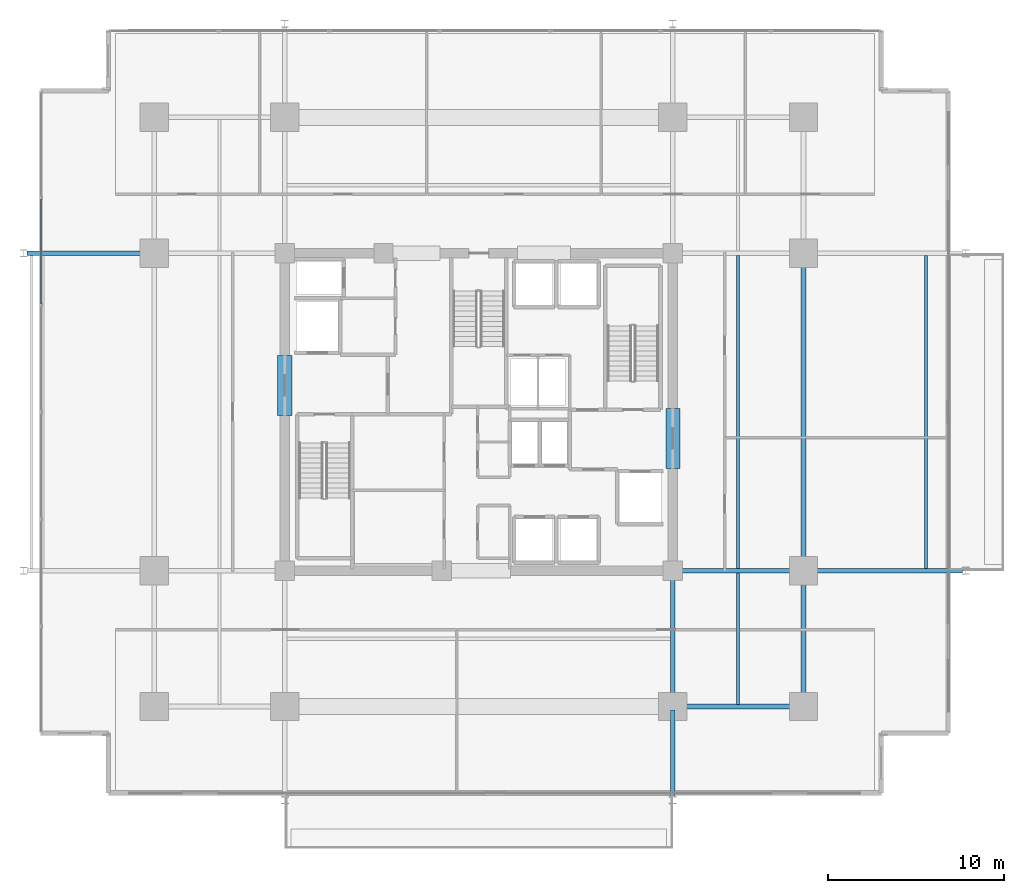
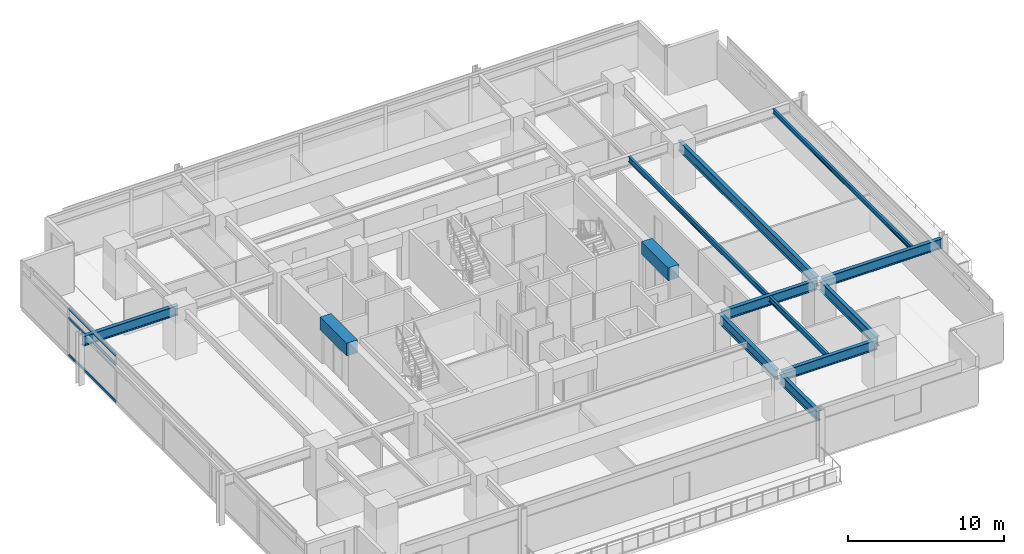
# One storey, part 5 of 22: 13 beams, 3 members, 1 element without a shape of its own.
"""IFC4 building model written with IfcOpenShell, lengths in metres."""

from ifc_helpers import new_model, si_unit, direction, frame, origin, origin_2d, place, context, subcontext, project, spatial, rectangle, hollow_rectangle, i_section, extrude, material, material_profile, profile_set, type_object, element, aggregate, save


model = new_model("IFC4")

# Units and contexts
model_context = context("Model", 3, precision=1e-05, world=origin(), true_north=direction((0.0, 1.0)))
body_context = subcontext(model_context, "Body", "Model", "MODEL_VIEW")
ifc_project = project(units=[si_unit("LENGTHUNIT", "METRE"), si_unit("AREAUNIT", "SQUARE_METRE"), si_unit("VOLUMEUNIT", "CUBIC_METRE"), si_unit("PLANEANGLEUNIT", "RADIAN"), si_unit("MASSUNIT", "GRAM", prefix="KILO")], contexts=[model_context])

# Site, building, storey
site_placement = place(None, origin())
site = spatial("IfcSite", under=ifc_project, at=site_placement, CompositionType="ELEMENT")
building_placement = place(site_placement, origin())
building = spatial("IfcBuilding", under=site, at=building_placement, Name="Kovane Verandah Tower", CompositionType="ELEMENT")
storey_placement = place(building_placement, frame((0.0, 0.0, 180.39990234375)))
storey = spatial("IfcBuildingStorey", under=building, at=storey_placement, Name="L42", CompositionType="ELEMENT", Elevation=180.39990234375)

# Beams
ifc_material_1 = material(Name="Concrete C60/75", Category="concrete")
ifc_material_profile_1 = material_profile(ifc_material_1, rectangle(XDim=0.800048828125, YDim=1.0, at=origin_2d()), Name="RCB800x1000")
ifc_profile_set_1 = profile_set([ifc_material_profile_1], Name="Concrete C60/75")
beam_type_1 = type_object("IfcBeamType", Name="BM-LINTEL-800x1000", PredefinedType="LINTEL", material=ifc_profile_set_1)
for number, where, z_axis, x_axis, name in (
    (1, (29.0, 27.300048828125, 3.2001953125), (0.0, 1.0, 0.0), (-1.0, 0.0, 0.0), "L42 Core Coupling Lintel CL-W"),
    (2, (51.0, 24.300048828125, 3.2001953125), (0.0, 1.0, 0.0), (-1.0, 0.0, 0.0), "L42 Core Coupling Lintel CL-E"),
):
    element("IfcBeam", number, at=place(storey_placement, frame(where, z_axis=z_axis, x_axis=x_axis)), inside=storey, type_object=beam_type_1, Name=name, PredefinedType="LINTEL", context=body_context, shape_type="SweptSolid", body=[
        extrude(rectangle(XDim=0.800048828125, YDim=1.0, at=origin_2d()), origin(), (0.0, 0.0, 1.0), 3.39990234375),
    ])
ifc_material_2 = material(Name="Steel S355", Category="steel")
ifc_material_profile_2 = material_profile(ifc_material_2, i_section(OverallWidth=0.26806640625, OverallDepth=0.769775390625, WebThickness=0.015625, FlangeThickness=0.025390625, FilletRadius=0.0166015625, at=origin_2d()), Name="UB762x267x197")
ifc_profile_set_2 = profile_set([ifc_material_profile_2], Name="Steel S355")
beam_type_2 = type_object("IfcBeamType", Name="BM-UB762x197", PredefinedType="BEAM", material=ifc_profile_set_2)
beam_1_placement = place(storey_placement, frame((51.179931640625, 10.800048828125, 3.315185546875), z_axis=(1.0, 0.0, 0.0), x_axis=(0.0, 1.0, 0.0)))
element("IfcBeam", 3, at=beam_1_placement, inside=storey, type_object=beam_type_2, Name="L42 Primary Tower Girder G-RS3", PredefinedType="BEAM", context=body_context, shape_type="SweptSolid", body=[
    extrude(i_section(OverallWidth=0.26806640625, OverallDepth=0.769775390625, WebThickness=0.015625, FlangeThickness=0.025390625, FilletRadius=0.0166015625, at=origin_2d()), origin(), (0.0, 0.0, 1.0), 7.0400390625),
])
beam_2_placement = place(storey_placement, frame((58.39990234375, 10.97998046875, 3.315185546875), z_axis=(0.0, 1.0, 0.0), x_axis=(-1.0, 0.0, 0.0)))
element("IfcBeam", 4, at=beam_2_placement, inside=storey, type_object=beam_type_2, Name="L42 Primary Tower Girder G-RE1", PredefinedType="BEAM", context=body_context, shape_type="SweptSolid", body=[
    extrude(i_section(OverallWidth=0.26806640625, OverallDepth=0.769775390625, WebThickness=0.015625, FlangeThickness=0.025390625, FilletRadius=0.0166015625, at=origin_2d()), origin(), (0.0, 0.0, 1.0), 7.340087890625),
])
beam_3_placement = place(storey_placement, frame((58.39990234375, 18.679931640625, 3.315185546875), z_axis=(0.0, 1.0, 0.0), x_axis=(-1.0, 0.0, 0.0)))
element("IfcBeam", 5, at=beam_3_placement, inside=storey, type_object=beam_type_2, Name="L42 Primary Tower Girder G-RE2", PredefinedType="BEAM", context=body_context, shape_type="SweptSolid", body=[
    extrude(i_section(OverallWidth=0.26806640625, OverallDepth=0.769775390625, WebThickness=0.015625, FlangeThickness=0.025390625, FilletRadius=0.0166015625, at=origin_2d()), origin(), (0.0, 0.0, 1.0), 17.64013671875),
])
beam_4_placement = place(storey_placement, frame((51.179931640625, 18.5, 3.315185546875), z_axis=(1.0, 0.0, 0.0), x_axis=(0.0, 1.0, 0.0)))
element("IfcBeam", 6, at=beam_4_placement, inside=storey, type_object=beam_type_2, Name="L42 Primary Tower Girder G-E1", PredefinedType="BEAM", context=body_context, shape_type="SweptSolid", body=[
    extrude(i_section(OverallWidth=0.26806640625, OverallDepth=0.769775390625, WebThickness=0.015625, FlangeThickness=0.025390625, FilletRadius=0.0166015625, at=origin_2d()), origin(), (0.0, 0.0, 1.0), 7.0400390625),
])
beam_5_placement = place(storey_placement, frame((51.0, 18.320068359375, 3.315185546875), z_axis=(0.0, -1.0, 0.0), x_axis=(1.0, 0.0, 0.0)))
element("IfcBeam", 7, at=beam_5_placement, inside=storey, type_object=beam_type_2, Name="L42 Primary Tower Girder G-S2", PredefinedType="BEAM", context=body_context, shape_type="SweptSolid", body=[
    extrude(i_section(OverallWidth=0.26806640625, OverallDepth=0.769775390625, WebThickness=0.015625, FlangeThickness=0.025390625, FilletRadius=0.0166015625, at=origin_2d()), origin(), (0.0, 0.0, 1.0), 7.340087890625),
])
beam_6_placement = place(storey_placement, frame((21.419921875, 36.5, 3.315185546875), z_axis=(-1.0, 0.0, 0.0), x_axis=(0.0, -1.0, 0.0)))
element("IfcBeam", 8, at=beam_6_placement, inside=storey, type_object=beam_type_2, Name="L42 Primary Tower Girder G-VW2", PredefinedType="BEAM", context=body_context, shape_type="SweptSolid", body=[
    extrude(i_section(OverallWidth=0.26806640625, OverallDepth=0.769775390625, WebThickness=0.015625, FlangeThickness=0.025390625, FilletRadius=0.0166015625, at=origin_2d()), origin(), (0.0, 0.0, 1.0), 7.0400390625),
])
beam_7_placement = place(storey_placement, frame((58.580078125, 18.5, 3.315185546875), z_axis=(1.0, 0.0, 0.0), x_axis=(0.0, 1.0, 0.0)))
element("IfcBeam", 9, at=beam_7_placement, inside=storey, type_object=beam_type_2, Name="L42 Primary Tower Girder G-VE1", PredefinedType="BEAM", context=body_context, shape_type="SweptSolid", body=[
    extrude(i_section(OverallWidth=0.26806640625, OverallDepth=0.769775390625, WebThickness=0.015625, FlangeThickness=0.025390625, FilletRadius=0.0166015625, at=origin_2d()), origin(), (0.0, 0.0, 1.0), 8.83984375),
])
beam_8_placement = place(storey_placement, frame((51.0, 10.6201171875, 3.315185546875), z_axis=(0.0, -1.0, 0.0), x_axis=(1.0, 0.0, 0.0)))
element("IfcBeam", 10, at=beam_8_placement, inside=storey, type_object=beam_type_2, Name="L42 Primary Tower Girder G-VS2", PredefinedType="BEAM", context=body_context, shape_type="SweptSolid", body=[
    extrude(i_section(OverallWidth=0.26806640625, OverallDepth=0.769775390625, WebThickness=0.015625, FlangeThickness=0.025390625, FilletRadius=0.0166015625, at=origin_2d()), origin(), (0.0, 0.0, 1.0), 4.940185546875),
])

# Curtain wall, members
ifc_material_3 = material(Name="Champagne Anodised Aluminium Frame with Low-E Clear Laminated Glass", Category="aluminium")
curtain_wall_type = type_object("IfcCurtainWallType", Name="CW-SYS-03-MID", PredefinedType="NOTDEFINED", material=ifc_material_3)
curtain_wall_placement = place(storey_placement, origin())
curtain_wall = element("IfcCurtainWall", 11, at=curtain_wall_placement, inside=storey, type_object=curtain_wall_type, Name="L42 W Unitised Curtain Wall", PredefinedType="NOTDEFINED")
ifc_material_4 = material(Name="Champagne Anodised Aluminium 6063-T6", Category="aluminium")
ifc_material_profile_3 = material_profile(ifc_material_4, hollow_rectangle(XDim=0.0849609375, YDim=0.18994140625, WallThickness=0.00390625, at=origin_2d()), Name="AL85x190x4")
ifc_profile_set_3 = profile_set([ifc_material_profile_3], Name="Champagne Anodised Aluminium 6063-T6")
member_type = type_object("IfcMemberType", Name="CW-TRN-85x190", PredefinedType="USERDEFINED", material=ifc_profile_set_3)
member_1_placement = place(storey_placement, frame((15.199951171875, 39.583251953125, 0.050048828125), z_axis=(0.0, -1.0, 0.0), x_axis=(1.0, 0.0, 0.0)))
member_1 = element("IfcMember", 12, at=member_1_placement, type_object=member_type, Name="L42 W Unitised Curtain Wall Transom TB Bay 2", ObjectType="TRANSOM", PredefinedType="USERDEFINED", context=body_context, shape_type="SweptSolid", body=[
    extrude(hollow_rectangle(XDim=0.0849609375, YDim=0.18994140625, WallThickness=0.00390625, at=origin_2d()), origin(), (0.0, 0.0, 1.0), 5.966552734375),
])
member_2_placement = place(storey_placement, frame((15.199951171875, 39.583251953125, 2.920166015625), z_axis=(0.0, -1.0, 0.0), x_axis=(1.0, 0.0, 0.0)))
member_2 = element("IfcMember", 13, at=member_2_placement, type_object=member_type, Name="L42 W Unitised Curtain Wall Transom TM Bay 2", ObjectType="TRANSOM", PredefinedType="USERDEFINED", context=body_context, shape_type="SweptSolid", body=[
    extrude(hollow_rectangle(XDim=0.0849609375, YDim=0.18994140625, WallThickness=0.00390625, at=origin_2d()), origin(), (0.0, 0.0, 1.0), 5.966552734375),
])
member_3_placement = place(storey_placement, frame((15.199951171875, 39.583251953125, 3.650146484375), z_axis=(0.0, -1.0, 0.0), x_axis=(1.0, 0.0, 0.0)))
member_3 = element("IfcMember", 14, at=member_3_placement, type_object=member_type, Name="L42 W Unitised Curtain Wall Transom TT Bay 2", ObjectType="TRANSOM", PredefinedType="USERDEFINED", context=body_context, shape_type="SweptSolid", body=[
    extrude(hollow_rectangle(XDim=0.0849609375, YDim=0.18994140625, WallThickness=0.00390625, at=origin_2d()), origin(), (0.0, 0.0, 1.0), 5.966552734375),
])
aggregate(curtain_wall, [member_1, member_2, member_3])

# Beams
ifc_material_profile_4 = material_profile(ifc_material_2, i_section(OverallWidth=0.179443359375, OverallDepth=0.412841796875, WebThickness=0.009521484375, FlangeThickness=0.01611328125, FilletRadius=0.01025390625, at=origin_2d()), Name="UB406x178x74")
ifc_profile_set_4 = profile_set([ifc_material_profile_4], Name="Steel S355")
beam_type_3 = type_object("IfcBeamType", Name="JST-UB406x74", PredefinedType="JOIST", material=ifc_profile_set_4)
beam_9_placement = place(storey_placement, frame((54.699951171875, 18.632080078125, 3.49365234375), z_axis=(0.0, 1.0, 0.0), x_axis=(-1.0, 0.0, 0.0)))
element("IfcBeam", 15, at=beam_9_placement, inside=storey, type_object=beam_type_3, Name="L42 Secondary Composite Joist J-E1", PredefinedType="JOIST", context=body_context, shape_type="SweptSolid", body=[
    extrude(i_section(OverallWidth=0.179443359375, OverallDepth=0.412841796875, WebThickness=0.009521484375, FlangeThickness=0.01611328125, FilletRadius=0.01025390625, at=origin_2d()), origin(), (0.0, 0.0, 1.0), 17.73583984375),
])
beam_10_placement = place(storey_placement, frame((54.699951171875, 10.931884765625, 3.49365234375), z_axis=(0.0, 1.0, 0.0), x_axis=(-1.0, 0.0, 0.0)))
element("IfcBeam", 16, at=beam_10_placement, inside=storey, type_object=beam_type_3, Name="L42 Secondary Composite Joist J-SE1", PredefinedType="JOIST", context=body_context, shape_type="SweptSolid", body=[
    extrude(i_section(OverallWidth=0.179443359375, OverallDepth=0.412841796875, WebThickness=0.009521484375, FlangeThickness=0.01611328125, FilletRadius=0.01025390625, at=origin_2d()), origin(), (0.0, 0.0, 1.0), 7.43603515625),
])
ifc_material_profile_5 = material_profile(ifc_material_2, i_section(OverallWidth=0.173095703125, OverallDepth=0.36328125, WebThickness=0.009033203125, FlangeThickness=0.015625, FilletRadius=0.01025390625, at=origin_2d()), Name="UB356x171x67")
ifc_profile_set_5 = profile_set([ifc_material_profile_5], Name="Steel S355")
beam_type_4 = type_object("IfcBeamType", Name="SPD-UB356x67", PredefinedType="USERDEFINED", material=ifc_profile_set_5)
beam_11_placement = place(storey_placement, frame((65.35009765625, 18.632080078125, 3.518310546875), z_axis=(0.0, 1.0, 0.0), x_axis=(-1.0, 0.0, 0.0)))
element("IfcBeam", 17, at=beam_11_placement, inside=storey, type_object=beam_type_4, Name="L42 East Planter Edge Spandrel", ObjectType="SPANDREL", PredefinedType="USERDEFINED", context=body_context, shape_type="SweptSolid", body=[
    extrude(i_section(OverallWidth=0.173095703125, OverallDepth=0.36328125, WebThickness=0.009033203125, FlangeThickness=0.015625, FilletRadius=0.01025390625, at=origin_2d()), origin(), (0.0, 0.0, 1.0), 17.73583984375),
])

save(model, "model.ifc")
